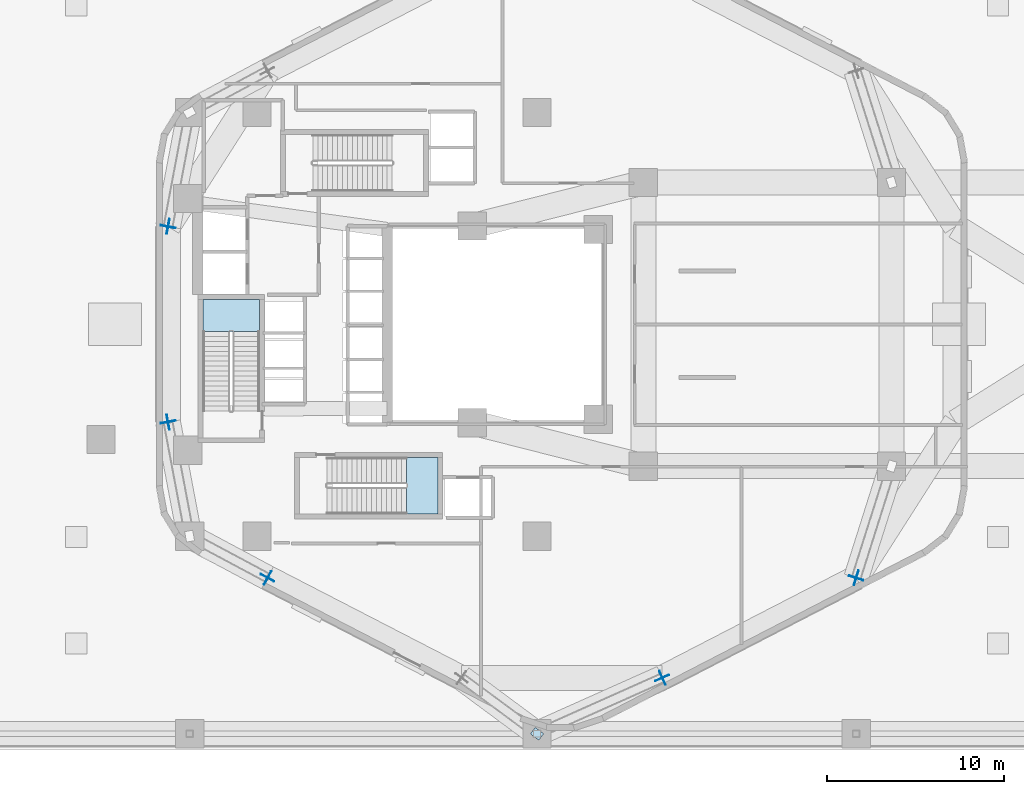
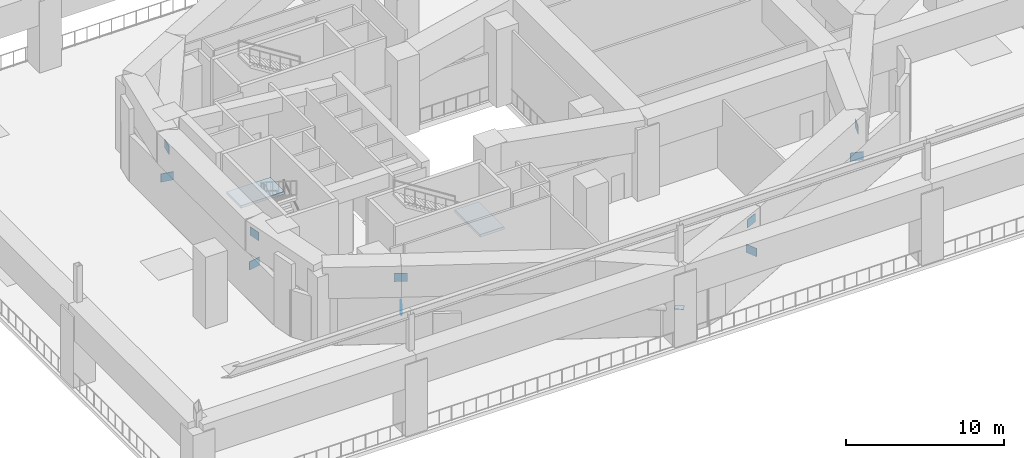
# One storey, part 7 of 15: 11 plates, 2 slabs, 2 elements without a shape of their own.
"""IFC4 building model written with IfcOpenShell, lengths in metres."""

from ifc_helpers import new_model, si_unit, direction, frame, origin, origin_2d, place, context, subcontext, project, spatial, polyline, rectangle, outline, extrude, material, layer, layer_set, type_object, element, aggregate, save


model = new_model("IFC4")

# Units and contexts
model_context = context("Model", 3, precision=1e-05, world=origin(), true_north=direction((0.0, 1.0)))
body_context = subcontext(model_context, "Body", "Model", "MODEL_VIEW")
ifc_project = project(units=[si_unit("LENGTHUNIT", "METRE"), si_unit("AREAUNIT", "SQUARE_METRE"), si_unit("VOLUMEUNIT", "CUBIC_METRE"), si_unit("PLANEANGLEUNIT", "RADIAN"), si_unit("MASSUNIT", "GRAM", prefix="KILO"), si_unit("THERMODYNAMICTEMPERATUREUNIT", "KELVIN"), si_unit("POWERUNIT", "WATT")], contexts=[model_context])

# Site, building, storey
site_placement = place(None, origin())
site = spatial("IfcSite", under=ifc_project, at=site_placement, CompositionType="ELEMENT")
building_placement = place(site_placement, origin())
building = spatial("IfcBuilding", under=site, at=building_placement, Name="Skarre Station Tower", CompositionType="ELEMENT")
storey_placement = place(building_placement, frame((0.0, 0.0, 21.0)))
storey = spatial("IfcBuildingStorey", under=building, at=storey_placement, Name="L05", CompositionType="ELEMENT", Elevation=21.0)

# Plates
ifc_material_1 = material(Name="Steel ASTM A572 Grade 50", Category="steel")
ifc_layer_1 = layer(ifc_material_1, 0.030029296875, Name="Steel ASTM A572 Grade 50")
ifc_layer_set_1 = layer_set([ifc_layer_1], Name="Steel ASTM A572 Grade 50")
plate_type_1 = type_object("IfcPlateType", Name="Hollow-Section End Cap Plate 600x460x30", PredefinedType="USERDEFINED", material=ifc_layer_set_1)
plate_1_placement = place(storey_placement, frame((36.0, 0.89990234375, 2.3349609375), z_axis=(0.0, 0.0, 1.0), x_axis=(-0.803784183305, 0.594920991954, 0.0)))
element("IfcPlate", 1, at=plate_1_placement, inside=storey, type_object=plate_type_1, Name="L05 Transfer Brace Base Gusset Plate F3C2", ObjectType="STIFFENER_PLATE", PredefinedType="USERDEFINED", context=body_context, shape_type="SweptSolid", body=[
    extrude(rectangle(XDim=0.60009765625, YDim=0.4599609375, at=origin_2d()), origin(), (0.0, 0.0, 1.0), 0.030029296875),
])
ifc_layer_2 = layer(ifc_material_1, 0.0400390625, Name="Steel ASTM A572 Grade 50")
ifc_layer_set_2 = layer_set([ifc_layer_2], Name="Steel ASTM A572 Grade 50")
plate_type_2 = type_object("IfcPlateType", Name="Outrigger Heavy Gusset Plate 850x640x40", PredefinedType="USERDEFINED", material=ifc_layer_set_2)
plate_2_placement = place(storey_placement, frame((15.18701171875, 29.52099609375, 4.330078125), z_axis=(0.0, 0.0, 1.0), x_axis=(-0.185409361597, -0.982661370276, 0.0)))
element("IfcPlate", 2, at=plate_2_placement, inside=storey, type_object=plate_type_2, Name="L05 Transfer Truss Top Gusset Plate F2C1", ObjectType="GUSSET_PLATE", PredefinedType="USERDEFINED", context=body_context, shape_type="SweptSolid", body=[
    extrude(rectangle(XDim=0.85009765625, YDim=0.0400390625, at=origin_2d()), origin(), (0.0, 0.0, 1.0), 0.639892578125),
])
plate_3_placement = place(storey_placement, frame((15.18408203125, 29.506103515625, 2.0302734375), z_axis=(0.0, 0.0, 1.0), x_axis=(-0.185409361597, -0.982661370276, 0.0)))
element("IfcPlate", 3, at=plate_3_placement, inside=storey, type_object=plate_type_2, Name="L05 Transfer Truss Chord End Cap Plate F2C1", ObjectType="GUSSET_PLATE", PredefinedType="USERDEFINED", context=body_context, shape_type="SweptSolid", body=[
    extrude(rectangle(XDim=0.0400390625, YDim=0.85009765625, at=origin_2d()), origin(), (0.0, 0.0, 1.0), 0.639892578125),
])
plate_4_placement = place(storey_placement, frame((15.18701171875, 18.47900390625, 4.330078125), z_axis=(0.0, 0.0, 1.0), x_axis=(-0.185409361597, 0.982661370276, 0.0)))
element("IfcPlate", 4, at=plate_4_placement, inside=storey, type_object=plate_type_2, Name="L05 Transfer Truss Top Gusset Plate F2C2", ObjectType="GUSSET_PLATE", PredefinedType="USERDEFINED", context=body_context, shape_type="SweptSolid", body=[
    extrude(rectangle(XDim=0.85009765625, YDim=0.0400390625, at=origin_2d()), origin(), (0.0, 0.0, 1.0), 0.639892578125),
])
plate_5_placement = place(storey_placement, frame((15.18408203125, 18.493896484375, 2.0302734375), z_axis=(0.0, 0.0, 1.0), x_axis=(-0.185409361597, 0.982661370276, 0.0)))
element("IfcPlate", 5, at=plate_5_placement, inside=storey, type_object=plate_type_2, Name="L05 Transfer Truss Chord End Cap Plate F2C2", ObjectType="GUSSET_PLATE", PredefinedType="USERDEFINED", context=body_context, shape_type="SweptSolid", body=[
    extrude(rectangle(XDim=0.0400390625, YDim=0.85009765625, at=origin_2d()), origin(), (0.0, 0.0, 1.0), 0.639892578125),
])
plate_6_placement = place(storey_placement, frame((20.79296875, 9.701904296875, 4.330078125), z_axis=(0.0, 0.0, 1.0), x_axis=(0.881929491639, -0.471381344324, 0.0)))
element("IfcPlate", 6, at=plate_6_placement, inside=storey, type_object=plate_type_2, Name="L05 Transfer Truss Top Gusset Plate F3C1", ObjectType="GUSSET_PLATE", PredefinedType="USERDEFINED", context=body_context, shape_type="SweptSolid", body=[
    extrude(rectangle(XDim=0.85009765625, YDim=0.0400390625, at=origin_2d()), origin(), (0.0, 0.0, 1.0), 0.639892578125),
])
plate_7_placement = place(storey_placement, frame((20.805908203125, 9.695068359375, 2.0302734375), z_axis=(0.0, 0.0, 1.0), x_axis=(0.881929491639, -0.471381344324, 0.0)))
element("IfcPlate", 7, at=plate_7_placement, inside=storey, type_object=plate_type_2, Name="L05 Transfer Truss Chord End Cap Plate F3C1", ObjectType="GUSSET_PLATE", PredefinedType="USERDEFINED", context=body_context, shape_type="SweptSolid", body=[
    extrude(rectangle(XDim=0.0400390625, YDim=0.85009765625, at=origin_2d()), origin(), (0.0, 0.0, 1.0), 0.639892578125),
])
plate_8_placement = place(storey_placement, frame((43.06005859375, 4.052978515625, 4.330078125), z_axis=(0.0, 0.0, 1.0), x_axis=(0.91307632467, 0.407788701814, 0.0)))
element("IfcPlate", 8, at=plate_8_placement, inside=storey, type_object=plate_type_2, Name="L05 Transfer Truss Top Gusset Plate F4C1", ObjectType="GUSSET_PLATE", PredefinedType="USERDEFINED", context=body_context, shape_type="SweptSolid", body=[
    extrude(rectangle(XDim=0.85009765625, YDim=0.0400390625, at=origin_2d()), origin(), (0.0, 0.0, 1.0), 0.639892578125),
])
plate_9_placement = place(storey_placement, frame((43.073974609375, 4.05908203125, 2.0302734375), z_axis=(0.0, 0.0, 1.0), x_axis=(0.91307632467, 0.407788701814, 0.0)))
element("IfcPlate", 9, at=plate_9_placement, inside=storey, type_object=plate_type_2, Name="L05 Transfer Truss Chord End Cap Plate F4C1", ObjectType="GUSSET_PLATE", PredefinedType="USERDEFINED", context=body_context, shape_type="SweptSolid", body=[
    extrude(rectangle(XDim=0.0400390625, YDim=0.85009765625, at=origin_2d()), origin(), (0.0, 0.0, 1.0), 0.639892578125),
])
plate_10_placement = place(storey_placement, frame((54.007080078125, 9.701904296875, 4.330078125), z_axis=(0.0, 0.0, 1.0), x_axis=(-0.301704364497, -0.953401529495, 0.0)))
element("IfcPlate", 10, at=plate_10_placement, inside=storey, type_object=plate_type_2, Name="L05 Transfer Truss Top Gusset Plate F4C2", ObjectType="GUSSET_PLATE", PredefinedType="USERDEFINED", context=body_context, shape_type="SweptSolid", body=[
    extrude(rectangle(XDim=0.85009765625, YDim=0.0400390625, at=origin_2d()), origin(), (0.0, 0.0, 1.0), 0.639892578125),
])
plate_11_placement = place(storey_placement, frame((54.001953125, 9.68798828125, 2.0302734375), z_axis=(0.0, 0.0, 1.0), x_axis=(-0.301704364497, -0.953401529495, 0.0)))
element("IfcPlate", 11, at=plate_11_placement, inside=storey, type_object=plate_type_2, Name="L05 Transfer Truss Chord End Cap Plate F4C2", ObjectType="GUSSET_PLATE", PredefinedType="USERDEFINED", context=body_context, shape_type="SweptSolid", body=[
    extrude(rectangle(XDim=0.0400390625, YDim=0.85009765625, at=origin_2d()), origin(), (0.0, 0.0, 1.0), 0.639892578125),
])

# Stair, slab
ifc_material_2 = material(Name="Concrete C40/50", Category="concrete")
stair_type_1 = type_object("IfcStairType", Name="Reinforced Concrete Exit Stair ST-1", PredefinedType="HALF_TURN_STAIR", material=ifc_material_2)
stair_1_placement = place(storey_placement, origin())
stair_1 = element("IfcStair", 12, at=stair_1_placement, inside=storey, type_object=stair_type_1, Name="L05 Core Exit Stair ST-1", PredefinedType="HALF_TURN_STAIR")
ifc_layer_3 = layer(ifc_material_2, 0.219970703125, Name="Concrete C40/50")
ifc_layer_set_3 = layer_set([ifc_layer_3], Name="Concrete C40/50")
slab_type = type_object("IfcSlabType", Name="Reinforced Concrete Stair & Ramp Landing 220", PredefinedType="LANDING", material=ifc_layer_set_3)
slab_1_placement = place(storey_placement, frame((0.0, 0.0, 2.800048828125)))
slab_1 = element("IfcSlab", 13, at=slab_1_placement, type_object=slab_type, Name="ST-1 landing 1", PredefinedType="LANDING", context=body_context, shape_type="SweptSolid", body=[
    extrude(outline(polyline([(20.35009765625, 23.60009765625), (20.35009765625, 25.39990234375), (17.14990234375, 25.39990234375), (17.14990234375, 23.60009765625), (20.35009765625, 23.60009765625)])), origin(), (0.0, 0.0, 1.0), 0.199951171875),
])
aggregate(stair_1, [slab_1])

stair_type_2 = type_object("IfcStairType", Name="Reinforced Concrete Exit Stair ST-2", PredefinedType="HALF_TURN_STAIR", material=ifc_material_2)
stair_2_placement = place(storey_placement, origin())
stair_2 = element("IfcStair", 14, at=stair_2_placement, inside=storey, type_object=stair_type_2, Name="L05 Core Exit Stair ST-2", PredefinedType="HALF_TURN_STAIR")
slab_2_placement = place(storey_placement, frame((0.0, 0.0, 2.800048828125)))
slab_2 = element("IfcSlab", 15, at=slab_2_placement, type_object=slab_type, Name="ST-2 landing 1", PredefinedType="LANDING", context=body_context, shape_type="SweptSolid", body=[
    extrude(outline(polyline([(28.6298828125, 13.300048828125), (30.39990234375, 13.300048828125), (30.39990234375, 16.5), (28.6298828125, 16.5), (28.6298828125, 13.300048828125)])), origin(), (0.0, 0.0, 1.0), 0.199951171875),
])
aggregate(stair_2, [slab_2])

save(model, "model.ifc")
